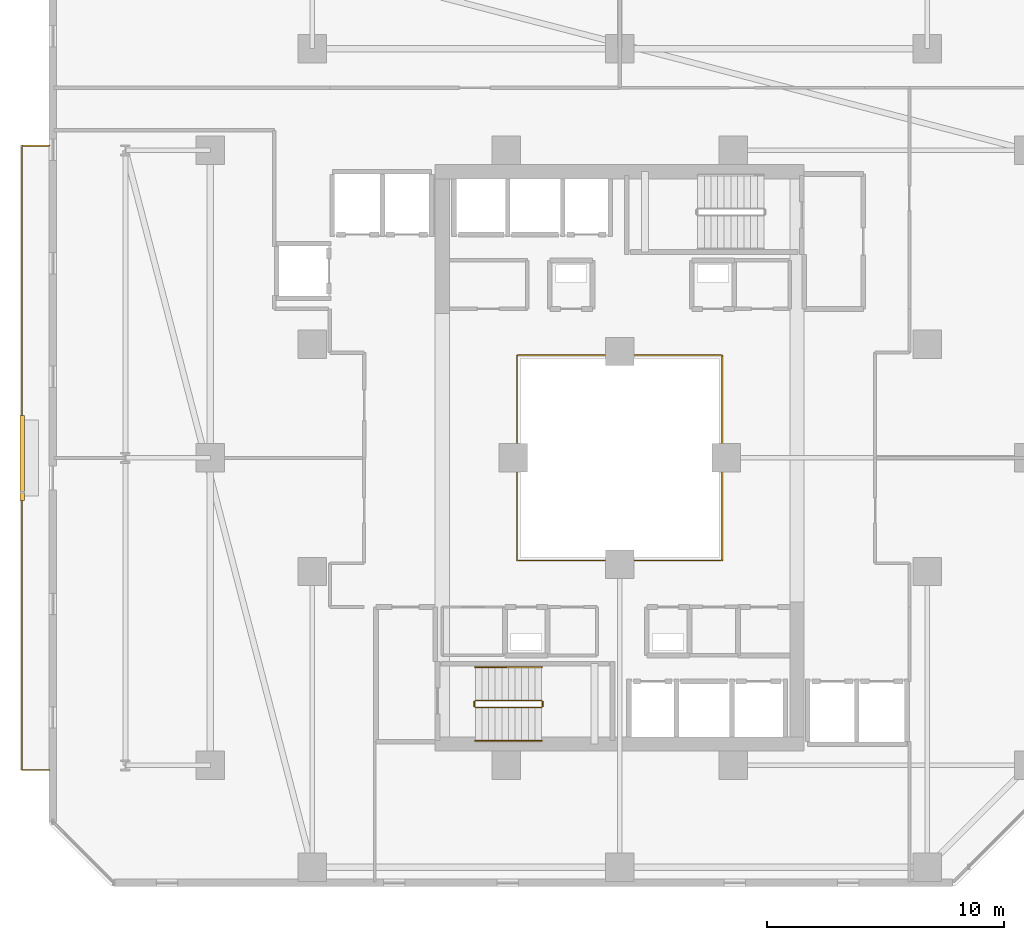
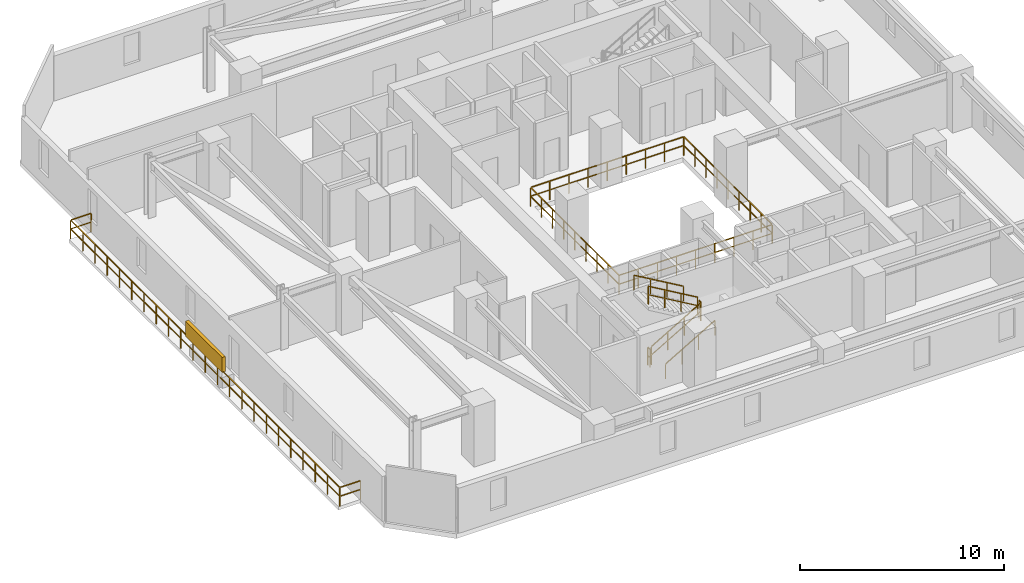
# One storey, part 30 of 33: 8 railings, 1 shading device.
"""IFC4 building model written with IfcOpenShell, lengths in metres."""

import ifcopenshell
import ifcopenshell.guid

model = None  # the IFC model being written
_history = None  # IfcOwnerHistory: only IFC2X3 demands one
_inside = {}  # id of a spatial element -> (the spatial element, [elements in it])
_under = {}  # id of a project, library or spatial element -> (it, [spatial elements below it])
_declared = {}  # id of a project -> (the project, [libraries it declares])
_typed = {}  # id of a type object -> (the type object, [elements of that type])
_made_of = {}  # id of a material, layer set ... -> (it, [elements and type objects made of it])


def new_model(schema):
    """Start an empty IFC model of exactly this schema.

    Asked for "IFC4X3", IfcOpenShell would pick the latest addendum, in which some entities
    have other attributes; the version numbers below select the first issue.
    IFC2X3 requires an IfcOwnerHistory on every rooted entity: one is made here for all.
    """
    global model, _history
    if schema == "IFC4X3":
        model = ifcopenshell.file(schema_version=(4, 3, 0, 0))
    else:
        model = ifcopenshell.file(schema=schema)
    _inside.clear()
    _under.clear()
    _declared.clear()
    _typed.clear()
    _made_of.clear()
    _history = None
    if model.schema == "IFC2X3":
        org = make("IfcOrganization", Name="unknown")
        user = make(
            "IfcPersonAndOrganization",
            ThePerson=make("IfcPerson", FamilyName="unknown"),
            TheOrganization=org,
        )
        app = make(
            "IfcApplication",
            ApplicationDeveloper=org,
            Version="unknown",
            ApplicationFullName="unknown",
            ApplicationIdentifier="unknown",
        )
        _history = make(
            "IfcOwnerHistory",
            OwningUser=user,
            OwningApplication=app,
            ChangeAction="ADDED",
            CreationDate=0,
        )
    return model


def make(cls, **values):
    """One entity of the class cls with the attributes given. An attribute that is None is left unset."""
    return model.create_entity(
        cls, **{name: value for name, value in values.items() if value is not None}
    )


def rooted(cls, **values):
    """An entity with a GlobalId (a new one), such as an element, a storey or a relation."""
    return make(cls, GlobalId=ifcopenshell.guid.new(), OwnerHistory=_history, **values)


def si_unit(unit_type, name, prefix=None):
    """IfcSIUnit, for example si_unit("LENGTHUNIT", "METRE", prefix="MILLI")."""
    return make("IfcSIUnit", UnitType=unit_type, Prefix=prefix, Name=name)


def assignment(units):
    """IfcUnitAssignment: the units of a project."""
    return None if units is None else make("IfcUnitAssignment", Units=units)


def point(xyz):
    """IfcCartesianPoint."""
    return None if xyz is None else make("IfcCartesianPoint", Coordinates=xyz)


def direction(xyz):
    """IfcDirection."""
    return None if xyz is None else make("IfcDirection", DirectionRatios=xyz)


def frame(location, z_axis=None, x_axis=None):
    """IfcAxis2Placement3D, a coordinate frame: its origin and axes. An axis left out is left unset."""
    return make(
        "IfcAxis2Placement3D",
        Location=point(location),
        Axis=direction(z_axis),
        RefDirection=direction(x_axis),
    )


def frame_2d(location, x_axis=None):
    """IfcAxis2Placement2D, a coordinate frame in the plane: its origin and x axis."""
    return make(
        "IfcAxis2Placement2D", Location=point(location), RefDirection=direction(x_axis)
    )


def origin():
    """The frame at (0, 0, 0) with its axes left unset."""
    return frame((0.0, 0.0, 0.0))


def origin_2d():
    """The frame at (0, 0) in the plane with its x axis left unset."""
    return frame_2d((0.0, 0.0))


def place(relative_to, where):
    """IfcLocalPlacement: puts the frame where relative to a parent placement (None: the world)."""
    return make(
        "IfcLocalPlacement", PlacementRelTo=relative_to, RelativePlacement=where
    )


def context(
    kind, dimensions, precision=None, world=None, true_north=None, identifier=None
):
    """IfcGeometricRepresentationContext, for example the 3D "Model" context."""
    return make(
        "IfcGeometricRepresentationContext",
        ContextIdentifier=identifier,
        ContextType=kind,
        CoordinateSpaceDimension=dimensions,
        Precision=precision,
        WorldCoordinateSystem=world,
        TrueNorth=true_north,
    )


def subcontext(parent, identifier, kind, view, scale=None):
    """IfcGeometricRepresentationSubContext, for example "Body" below "Model"."""
    return make(
        "IfcGeometricRepresentationSubContext",
        ContextIdentifier=identifier,
        ContextType=kind,
        ParentContext=parent,
        TargetScale=scale,
        TargetView=view,
    )


def project(units=None, contexts=None):
    """IfcProject with its units and contexts."""
    return rooted(
        "IfcProject",
        Name="project",
        RepresentationContexts=contexts,
        UnitsInContext=assignment(units),
    )


def spatial(cls, under=None, at=None, **own):
    """A site, building, storey or space (cls), placed at a placement, below another one or the project."""
    s = rooted(cls, ObjectPlacement=at, **own)
    if under is not None:
        _under.setdefault(under.id(), (under, []))[1].append(s)
    return s


def profile(cls, at=None, kind="AREA", **sizes):
    """A parametric profile (cls). Its sizes go by their IFC names, for example OverallWidth=200.0."""
    return make(cls, ProfileType=kind, Position=at, **sizes)


def rectangle(**sizes):
    """IfcRectangleProfileDef."""
    return profile("IfcRectangleProfileDef", **sizes)


def extrude(swept, where, along, depth):
    """IfcExtrudedAreaSolid: the profile swept, set in the frame where, extruded along a direction by depth."""
    return make(
        "IfcExtrudedAreaSolid",
        SweptArea=swept,
        Position=where,
        ExtrudedDirection=direction(along),
        Depth=depth,
    )


def shape(context_of_items, identifier, shape_type, items):
    """IfcShapeRepresentation: the items that make up one representation, for example the "Body"."""
    return make(
        "IfcShapeRepresentation",
        ContextOfItems=context_of_items,
        RepresentationIdentifier=identifier,
        RepresentationType=shape_type,
        Items=items,
    )


def material(Name=None, Category=None):
    """IfcMaterial."""
    return make("IfcMaterial", Name=Name, Category=Category)


def made_of(thing, what):
    """Note that an element or type object is made of a material, layer set ...; save() writes the relation."""
    if what is not None:
        _made_of.setdefault(what.id(), (what, []))[1].append(thing)
    return thing


def type_object(cls, material=None, **own):
    """A type object (cls), such as IfcWallType, which elements share."""
    return made_of(rooted(cls, **own), material)


def element(
    cls,
    number,
    at=None,
    inside=None,
    cuts=None,
    type_object=None,
    material=None,
    context=None,
    identifier="Body",
    shape_type=None,
    held_by="IfcProductDefinitionShape",
    body=None,
    shapes=None,
    **own,
):
    """One element of the class cls, such as IfcWall. Its Tag is "e" and its number.

    at: its placement. inside: the storey or other place that contains it. cuts: it is an
    opening in that element (IfcRelVoidsElement). A single representation is given by context,
    identifier, shape_type and body (its items); several are given by shapes. held_by: the class
    of the entity that holds the representations. save() writes the other relations.
    """
    e = rooted(cls, Tag="e%d" % number, ObjectPlacement=at, **own)
    if body is not None:
        shapes = [shape(context, identifier, shape_type, body)]
    if shapes is not None:
        e.Representation = make(held_by, Representations=shapes)
    if inside is not None:
        _inside.setdefault(inside.id(), (inside, []))[1].append(e)
    if cuts is not None:
        rooted(
            "IfcRelVoidsElement", RelatingBuildingElement=cuts, RelatedOpeningElement=e
        )
    if type_object is not None:
        _typed.setdefault(type_object.id(), (type_object, []))[1].append(e)
    return made_of(e, material)


def aggregate(whole, parts):
    """IfcRelAggregates: a whole, such as a stair, and the parts it consists of."""
    return rooted("IfcRelAggregates", RelatingObject=whole, RelatedObjects=parts)


def save(model, path):
    """Write the relations noted so far, then the file.

    IfcRelAggregates (storeys below a building ...), IfcRelContainedInSpatialStructure (elements
    in a storey), IfcRelDefinesByType, IfcRelAssociatesMaterial and IfcRelDeclares: one each for
    every whole, place, type object, material and project.
    """
    for whole, parts in _under.values():
        aggregate(whole, parts)
    for where, things in _inside.values():
        rooted(
            "IfcRelContainedInSpatialStructure",
            RelatedElements=things,
            RelatingStructure=where,
        )
    for kind, things in _typed.values():
        rooted("IfcRelDefinesByType", RelatedObjects=things, RelatingType=kind)
    for what, things in _made_of.values():
        rooted("IfcRelAssociatesMaterial", RelatedObjects=things, RelatingMaterial=what)
    for by, libraries in _declared.values():
        rooted("IfcRelDeclares", RelatingContext=by, RelatedDefinitions=libraries)
    model.write(path)


model = new_model("IFC4")

# Units and contexts
model_context = context("Model", 3, precision=1e-05, world=origin(), true_north=direction((0.0, 1.0)))
body_context = subcontext(model_context, "Body", "Model", "MODEL_VIEW")
ifc_project = project(units=[si_unit("LENGTHUNIT", "METRE"), si_unit("AREAUNIT", "SQUARE_METRE"), si_unit("VOLUMEUNIT", "CUBIC_METRE"), si_unit("PLANEANGLEUNIT", "RADIAN"), si_unit("MASSUNIT", "GRAM", prefix="KILO")], contexts=[model_context])

# Site, building, storey
site_placement = place(None, origin())
site = spatial("IfcSite", under=ifc_project, at=site_placement, CompositionType="ELEMENT")
building_placement = place(site_placement, origin())
building = spatial("IfcBuilding", under=site, at=building_placement, Name="Thornwick Lancets Civic Towers", CompositionType="ELEMENT")
storey_placement = place(building_placement, frame((0.0, 0.0, 101.699951171875)))
storey = spatial("IfcBuildingStorey", under=building, at=storey_placement, Name="L26", CompositionType="ELEMENT", Elevation=101.699951171875)

# Railings
ifc_material_1 = material(Name="Laminated glass and bronze steel S355", Category="steel")
railing_type_1 = type_object("IfcRailingType", Name="RAIL_ATRIUM_GUARD", PredefinedType="BALUSTRADE", material=ifc_material_1)
railing_1_placement = place(storey_placement, frame((21.159912109375, 22.659912109375, 0.0)))
element("IfcRailing", 1, at=railing_1_placement, inside=storey, type_object=railing_type_1, Name="L26 Tower A Central Atrium Guard Balustrade", PredefinedType="BALUSTRADE", context=body_context, shape_type="SweptSolid", body=[
    extrude(rectangle(XDim=0.048095703125, YDim=0.048095703125, at=origin_2d()), frame((0.0, 0.0, 1.1259765625), z_axis=(1.0, 0.0, 0.0), x_axis=(0.0, 1.0, 0.0)), (0.0, 0.0, 1.0), 8.64892578125),
    extrude(rectangle(XDim=0.0419921875, YDim=0.0419921875, at=origin_2d()), frame((0.03759765625, 0.0, 0.597900390625), z_axis=(1.0, 0.0, 0.0), x_axis=(0.0, 1.0, 0.0)), (0.0, 0.0, 1.0), 1.010009765625),
    extrude(rectangle(XDim=0.0419921875, YDim=0.0419921875, at=origin_2d()), frame((1.12255859375, 0.0, 0.597900390625), z_axis=(1.0, 0.0, 0.0), x_axis=(0.0, 1.0, 0.0)), (0.0, 0.0, 1.0), 1.010009765625),
    extrude(rectangle(XDim=0.0419921875, YDim=0.0419921875, at=origin_2d()), frame((2.20751953125, 0.0, 0.597900390625), z_axis=(1.0, 0.0, 0.0), x_axis=(0.0, 1.0, 0.0)), (0.0, 0.0, 1.0), 1.010009765625),
    extrude(rectangle(XDim=0.0419921875, YDim=0.0419921875, at=origin_2d()), frame((3.29248046875, 0.0, 0.597900390625), z_axis=(1.0, 0.0, 0.0), x_axis=(0.0, 1.0, 0.0)), (0.0, 0.0, 1.0), 1.010009765625),
    extrude(rectangle(XDim=0.0419921875, YDim=0.0419921875, at=origin_2d()), frame((4.377685546875, 0.0, 0.597900390625), z_axis=(1.0, 0.0, 0.0), x_axis=(0.0, 1.0, 0.0)), (0.0, 0.0, 1.0), 1.010009765625),
    extrude(rectangle(XDim=0.0419921875, YDim=0.0419921875, at=origin_2d()), frame((5.462646484375, 0.0, 0.597900390625), z_axis=(1.0, 0.0, 0.0), x_axis=(0.0, 1.0, 0.0)), (0.0, 0.0, 1.0), 1.010009765625),
    extrude(rectangle(XDim=0.0419921875, YDim=0.0419921875, at=origin_2d()), frame((6.547607421875, 0.0, 0.597900390625), z_axis=(1.0, 0.0, 0.0), x_axis=(0.0, 1.0, 0.0)), (0.0, 0.0, 1.0), 1.010009765625),
    extrude(rectangle(XDim=0.0419921875, YDim=0.0419921875, at=origin_2d()), frame((7.632568359375, 0.0, 0.597900390625), z_axis=(1.0, 0.0, 0.0), x_axis=(0.0, 1.0, 0.0)), (0.0, 0.0, 1.0), 1.010009765625),
    extrude(rectangle(XDim=0.048095703125, YDim=0.048095703125, at=origin_2d()), frame((8.68017578125, 0.03125, 1.1259765625), z_axis=(0.0, 1.0, 0.0), x_axis=(-1.0, 0.0, 0.0)), (0.0, 0.0, 1.0), 8.61767578125),
    extrude(rectangle(XDim=0.0419921875, YDim=0.0419921875, at=origin_2d()), frame((8.68017578125, 0.03759765625, 0.597900390625), z_axis=(0.0, 1.0, 0.0), x_axis=(-1.0, 0.0, 0.0)), (0.0, 0.0, 1.0), 1.010009765625),
    extrude(rectangle(XDim=0.0419921875, YDim=0.0419921875, at=origin_2d()), frame((8.68017578125, 1.12255859375, 0.597900390625), z_axis=(0.0, 1.0, 0.0), x_axis=(-1.0, 0.0, 0.0)), (0.0, 0.0, 1.0), 1.010009765625),
    extrude(rectangle(XDim=0.0419921875, YDim=0.0419921875, at=origin_2d()), frame((8.68017578125, 2.20751953125, 0.597900390625), z_axis=(0.0, 1.0, 0.0), x_axis=(-1.0, 0.0, 0.0)), (0.0, 0.0, 1.0), 1.010009765625),
    extrude(rectangle(XDim=0.0419921875, YDim=0.0419921875, at=origin_2d()), frame((8.68017578125, 3.29248046875, 0.597900390625), z_axis=(0.0, 1.0, 0.0), x_axis=(-1.0, 0.0, 0.0)), (0.0, 0.0, 1.0), 1.010009765625),
    extrude(rectangle(XDim=0.0419921875, YDim=0.0419921875, at=origin_2d()), frame((8.68017578125, 4.377685546875, 0.597900390625), z_axis=(0.0, 1.0, 0.0), x_axis=(-1.0, 0.0, 0.0)), (0.0, 0.0, 1.0), 1.010009765625),
    extrude(rectangle(XDim=0.0419921875, YDim=0.0419921875, at=origin_2d()), frame((8.68017578125, 5.462646484375, 0.597900390625), z_axis=(0.0, 1.0, 0.0), x_axis=(-1.0, 0.0, 0.0)), (0.0, 0.0, 1.0), 1.010009765625),
    extrude(rectangle(XDim=0.0419921875, YDim=0.0419921875, at=origin_2d()), frame((8.68017578125, 6.547607421875, 0.597900390625), z_axis=(0.0, 1.0, 0.0), x_axis=(-1.0, 0.0, 0.0)), (0.0, 0.0, 1.0), 1.010009765625),
    extrude(rectangle(XDim=0.0419921875, YDim=0.0419921875, at=origin_2d()), frame((8.68017578125, 7.632568359375, 0.597900390625), z_axis=(0.0, 1.0, 0.0), x_axis=(-1.0, 0.0, 0.0)), (0.0, 0.0, 1.0), 1.010009765625),
    extrude(rectangle(XDim=0.048095703125, YDim=0.048095703125, at=origin_2d()), frame((8.64892578125, 8.68017578125, 1.1259765625), z_axis=(-1.0, 0.0, 0.0), x_axis=(0.0, -1.0, 0.0)), (0.0, 0.0, 1.0), 8.61767578125),
    extrude(rectangle(XDim=0.0419921875, YDim=0.0419921875, at=origin_2d()), frame((8.642578125, 8.68017578125, 0.597900390625), z_axis=(-1.0, 0.0, 0.0), x_axis=(0.0, -1.0, 0.0)), (0.0, 0.0, 1.0), 1.010009765625),
    extrude(rectangle(XDim=0.0419921875, YDim=0.0419921875, at=origin_2d()), frame((7.5576171875, 8.68017578125, 0.597900390625), z_axis=(-1.0, 0.0, 0.0), x_axis=(0.0, -1.0, 0.0)), (0.0, 0.0, 1.0), 1.010009765625),
    extrude(rectangle(XDim=0.0419921875, YDim=0.0419921875, at=origin_2d()), frame((6.47265625, 8.68017578125, 0.597900390625), z_axis=(-1.0, 0.0, 0.0), x_axis=(0.0, -1.0, 0.0)), (0.0, 0.0, 1.0), 1.010009765625),
    extrude(rectangle(XDim=0.0419921875, YDim=0.0419921875, at=origin_2d()), frame((5.3876953125, 8.68017578125, 0.597900390625), z_axis=(-1.0, 0.0, 0.0), x_axis=(0.0, -1.0, 0.0)), (0.0, 0.0, 1.0), 1.010009765625),
    extrude(rectangle(XDim=0.0419921875, YDim=0.0419921875, at=origin_2d()), frame((4.302490234375, 8.68017578125, 0.597900390625), z_axis=(-1.0, 0.0, 0.0), x_axis=(0.0, -1.0, 0.0)), (0.0, 0.0, 1.0), 1.010009765625),
    extrude(rectangle(XDim=0.0419921875, YDim=0.0419921875, at=origin_2d()), frame((3.217529296875, 8.68017578125, 0.597900390625), z_axis=(-1.0, 0.0, 0.0), x_axis=(0.0, -1.0, 0.0)), (0.0, 0.0, 1.0), 1.010009765625),
    extrude(rectangle(XDim=0.0419921875, YDim=0.0419921875, at=origin_2d()), frame((2.132568359375, 8.68017578125, 0.597900390625), z_axis=(-1.0, 0.0, 0.0), x_axis=(0.0, -1.0, 0.0)), (0.0, 0.0, 1.0), 1.010009765625),
    extrude(rectangle(XDim=0.0419921875, YDim=0.0419921875, at=origin_2d()), frame((1.047607421875, 8.68017578125, 0.597900390625), z_axis=(-1.0, 0.0, 0.0), x_axis=(0.0, -1.0, 0.0)), (0.0, 0.0, 1.0), 1.010009765625),
    extrude(rectangle(XDim=0.048095703125, YDim=0.048095703125, at=origin_2d()), frame((0.0, 8.64892578125, 1.1259765625), z_axis=(0.0, -1.0, 0.0), x_axis=(1.0, 0.0, 0.0)), (0.0, 0.0, 1.0), 8.64892578125),
    extrude(rectangle(XDim=0.0419921875, YDim=0.0419921875, at=origin_2d()), frame((0.0, 8.642578125, 0.597900390625), z_axis=(0.0, -1.0, 0.0), x_axis=(1.0, 0.0, 0.0)), (0.0, 0.0, 1.0), 1.010009765625),
    extrude(rectangle(XDim=0.0419921875, YDim=0.0419921875, at=origin_2d()), frame((0.0, 7.5576171875, 0.597900390625), z_axis=(0.0, -1.0, 0.0), x_axis=(1.0, 0.0, 0.0)), (0.0, 0.0, 1.0), 1.010009765625),
    extrude(rectangle(XDim=0.0419921875, YDim=0.0419921875, at=origin_2d()), frame((0.0, 6.47265625, 0.597900390625), z_axis=(0.0, -1.0, 0.0), x_axis=(1.0, 0.0, 0.0)), (0.0, 0.0, 1.0), 1.010009765625),
    extrude(rectangle(XDim=0.0419921875, YDim=0.0419921875, at=origin_2d()), frame((0.0, 5.3876953125, 0.597900390625), z_axis=(0.0, -1.0, 0.0), x_axis=(1.0, 0.0, 0.0)), (0.0, 0.0, 1.0), 1.010009765625),
    extrude(rectangle(XDim=0.0419921875, YDim=0.0419921875, at=origin_2d()), frame((0.0, 4.302490234375, 0.597900390625), z_axis=(0.0, -1.0, 0.0), x_axis=(1.0, 0.0, 0.0)), (0.0, 0.0, 1.0), 1.010009765625),
    extrude(rectangle(XDim=0.0419921875, YDim=0.0419921875, at=origin_2d()), frame((0.0, 3.217529296875, 0.597900390625), z_axis=(0.0, -1.0, 0.0), x_axis=(1.0, 0.0, 0.0)), (0.0, 0.0, 1.0), 1.010009765625),
    extrude(rectangle(XDim=0.0419921875, YDim=0.0419921875, at=origin_2d()), frame((0.0, 2.132568359375, 0.597900390625), z_axis=(0.0, -1.0, 0.0), x_axis=(1.0, 0.0, 0.0)), (0.0, 0.0, 1.0), 1.010009765625),
    extrude(rectangle(XDim=0.0419921875, YDim=0.0419921875, at=origin_2d()), frame((0.0, 1.047607421875, 0.597900390625), z_axis=(0.0, -1.0, 0.0), x_axis=(1.0, 0.0, 0.0)), (0.0, 0.0, 1.0), 1.010009765625),
    extrude(rectangle(XDim=0.0419921875, YDim=0.0419921875, at=origin_2d()), origin(), (0.0, 0.0, 1.0), 1.095703125),
    extrude(rectangle(XDim=0.0419921875, YDim=0.0419921875, at=origin_2d()), frame((1.0849609375, 0.0, 0.0)), (0.0, 0.0, 1.0), 1.095703125),
    extrude(rectangle(XDim=0.0419921875, YDim=0.0419921875, at=origin_2d()), frame((2.169921875, 0.0, 0.0)), (0.0, 0.0, 1.0), 1.095703125),
    extrude(rectangle(XDim=0.0419921875, YDim=0.0419921875, at=origin_2d()), frame((3.255126953125, 0.0, 0.0)), (0.0, 0.0, 1.0), 1.095703125),
    extrude(rectangle(XDim=0.0419921875, YDim=0.0419921875, at=origin_2d()), frame((4.340087890625, 0.0, 0.0)), (0.0, 0.0, 1.0), 1.095703125),
    extrude(rectangle(XDim=0.0419921875, YDim=0.0419921875, at=origin_2d()), frame((5.425048828125, 0.0, 0.0)), (0.0, 0.0, 1.0), 1.095703125),
    extrude(rectangle(XDim=0.0419921875, YDim=0.0419921875, at=origin_2d()), frame((6.51025390625, 0.0, 0.0)), (0.0, 0.0, 1.0), 1.095703125),
    extrude(rectangle(XDim=0.0419921875, YDim=0.0419921875, at=origin_2d()), frame((7.59521484375, 0.0, 0.0)), (0.0, 0.0, 1.0), 1.095703125),
    extrude(rectangle(XDim=0.0419921875, YDim=0.0419921875, at=origin_2d()), frame((8.68017578125, 0.0, 0.0)), (0.0, 0.0, 1.0), 1.095703125),
    extrude(rectangle(XDim=0.0419921875, YDim=0.0419921875, at=origin_2d()), frame((8.68017578125, 1.0849609375, 0.0)), (0.0, 0.0, 1.0), 1.095703125),
    extrude(rectangle(XDim=0.0419921875, YDim=0.0419921875, at=origin_2d()), frame((8.68017578125, 2.169921875, 0.0)), (0.0, 0.0, 1.0), 1.095703125),
    extrude(rectangle(XDim=0.0419921875, YDim=0.0419921875, at=origin_2d()), frame((8.68017578125, 3.255126953125, 0.0)), (0.0, 0.0, 1.0), 1.095703125),
    extrude(rectangle(XDim=0.0419921875, YDim=0.0419921875, at=origin_2d()), frame((8.68017578125, 4.340087890625, 0.0)), (0.0, 0.0, 1.0), 1.095703125),
    extrude(rectangle(XDim=0.0419921875, YDim=0.0419921875, at=origin_2d()), frame((8.68017578125, 5.425048828125, 0.0)), (0.0, 0.0, 1.0), 1.095703125),
    extrude(rectangle(XDim=0.0419921875, YDim=0.0419921875, at=origin_2d()), frame((8.68017578125, 6.51025390625, 0.0)), (0.0, 0.0, 1.0), 1.095703125),
    extrude(rectangle(XDim=0.0419921875, YDim=0.0419921875, at=origin_2d()), frame((8.68017578125, 7.59521484375, 0.0)), (0.0, 0.0, 1.0), 1.095703125),
    extrude(rectangle(XDim=0.0419921875, YDim=0.0419921875, at=origin_2d()), frame((8.68017578125, 8.68017578125, 0.0)), (0.0, 0.0, 1.0), 1.095703125),
    extrude(rectangle(XDim=0.0419921875, YDim=0.0419921875, at=origin_2d()), frame((7.59521484375, 8.68017578125, 0.0)), (0.0, 0.0, 1.0), 1.095703125),
    extrude(rectangle(XDim=0.0419921875, YDim=0.0419921875, at=origin_2d()), frame((6.51025390625, 8.68017578125, 0.0)), (0.0, 0.0, 1.0), 1.095703125),
    extrude(rectangle(XDim=0.0419921875, YDim=0.0419921875, at=origin_2d()), frame((5.425048828125, 8.68017578125, 0.0)), (0.0, 0.0, 1.0), 1.095703125),
    extrude(rectangle(XDim=0.0419921875, YDim=0.0419921875, at=origin_2d()), frame((4.340087890625, 8.68017578125, 0.0)), (0.0, 0.0, 1.0), 1.095703125),
    extrude(rectangle(XDim=0.0419921875, YDim=0.0419921875, at=origin_2d()), frame((3.255126953125, 8.68017578125, 0.0)), (0.0, 0.0, 1.0), 1.095703125),
    extrude(rectangle(XDim=0.0419921875, YDim=0.0419921875, at=origin_2d()), frame((2.169921875, 8.68017578125, 0.0)), (0.0, 0.0, 1.0), 1.095703125),
    extrude(rectangle(XDim=0.0419921875, YDim=0.0419921875, at=origin_2d()), frame((1.0849609375, 8.68017578125, 0.0)), (0.0, 0.0, 1.0), 1.095703125),
    extrude(rectangle(XDim=0.0419921875, YDim=0.0419921875, at=origin_2d()), frame((0.0, 8.68017578125, 0.0)), (0.0, 0.0, 1.0), 1.095703125),
    extrude(rectangle(XDim=0.0419921875, YDim=0.0419921875, at=origin_2d()), frame((0.0, 7.59521484375, 0.0)), (0.0, 0.0, 1.0), 1.095703125),
    extrude(rectangle(XDim=0.0419921875, YDim=0.0419921875, at=origin_2d()), frame((0.0, 6.51025390625, 0.0)), (0.0, 0.0, 1.0), 1.095703125),
    extrude(rectangle(XDim=0.0419921875, YDim=0.0419921875, at=origin_2d()), frame((0.0, 5.425048828125, 0.0)), (0.0, 0.0, 1.0), 1.095703125),
    extrude(rectangle(XDim=0.0419921875, YDim=0.0419921875, at=origin_2d()), frame((0.0, 4.340087890625, 0.0)), (0.0, 0.0, 1.0), 1.095703125),
    extrude(rectangle(XDim=0.0419921875, YDim=0.0419921875, at=origin_2d()), frame((0.0, 3.255126953125, 0.0)), (0.0, 0.0, 1.0), 1.095703125),
    extrude(rectangle(XDim=0.0419921875, YDim=0.0419921875, at=origin_2d()), frame((0.0, 2.169921875, 0.0)), (0.0, 0.0, 1.0), 1.095703125),
    extrude(rectangle(XDim=0.0419921875, YDim=0.0419921875, at=origin_2d()), frame((0.0, 1.0849609375, 0.0)), (0.0, 0.0, 1.0), 1.095703125),
])
ifc_material_2 = material(Name="Brushed stainless steel S355", Category="steel")
railing_type_2 = type_object("IfcRailingType", Name="RAIL_HANDRAIL", PredefinedType="HANDRAIL", material=ifc_material_2)
railing_2_placement = place(storey_placement, frame((19.39990234375, 15.050048828125, 0.16357421875)))
element("IfcRailing", 2, at=railing_2_placement, inside=storey, type_object=railing_type_2, Name="L26 ST-A1 stair handrail 1", PredefinedType="HANDRAIL", context=body_context, shape_type="SweptSolid", body=[
    extrude(rectangle(XDim=0.048095703125, YDim=0.048095703125, at=origin_2d()), frame((0.0, 0.0, 0.8857421875), z_axis=(0.863360870873, 0.0, 0.504586966384), x_axis=(0.0, 1.0, 0.0)), (0.0, 0.0, 1.0), 3.2431640625),
    extrude(rectangle(XDim=0.0419921875, YDim=0.0419921875, at=origin_2d()), origin(), (0.0, 0.0, 1.0), 0.855712890625),
    extrude(rectangle(XDim=0.0419921875, YDim=0.0419921875, at=origin_2d()), frame((0.933349609375, 0.0, 0.54541015625)), (0.0, 0.0, 1.0), 0.855712890625),
    extrude(rectangle(XDim=0.0419921875, YDim=0.0419921875, at=origin_2d()), frame((1.86669921875, 0.0, 1.091064453125)), (0.0, 0.0, 1.0), 0.855712890625),
    extrude(rectangle(XDim=0.0419921875, YDim=0.0419921875, at=origin_2d()), frame((2.800048828125, 0.0, 1.636474609375)), (0.0, 0.0, 1.0), 0.855712890625),
])
railing_3_placement = place(storey_placement, frame((22.199951171875, 18.14990234375, 1.963623046875)))
element("IfcRailing", 3, at=railing_3_placement, inside=storey, type_object=railing_type_2, Name="L26 ST-A1 stair handrail 2", PredefinedType="HANDRAIL", context=body_context, shape_type="SweptSolid", body=[
    extrude(rectangle(XDim=0.048095703125, YDim=0.048095703125, at=origin_2d()), frame((0.0, 0.0, 0.8857421875), z_axis=(-0.863360870873, 0.0, 0.504586966384), x_axis=(0.0, -1.0, 0.0)), (0.0, 0.0, 1.0), 3.2431640625),
    extrude(rectangle(XDim=0.0419921875, YDim=0.0419921875, at=origin_2d()), origin(), (0.0, 0.0, 1.0), 0.855712890625),
    extrude(rectangle(XDim=0.0419921875, YDim=0.0419921875, at=origin_2d()), frame((-0.933349609375, 0.0, 0.54541015625)), (0.0, 0.0, 1.0), 0.855712890625),
    extrude(rectangle(XDim=0.0419921875, YDim=0.0419921875, at=origin_2d()), frame((-1.86669921875, 0.0, 1.091064453125)), (0.0, 0.0, 1.0), 0.855712890625),
    extrude(rectangle(XDim=0.0419921875, YDim=0.0419921875, at=origin_2d()), frame((-2.800048828125, 0.0, 1.636474609375)), (0.0, 0.0, 1.0), 0.855712890625),
])
ifc_material_3 = material(Name="Steel S355JR", Category="steel")
railing_type_3 = type_object("IfcRailingType", Name="RAIL_STAIR_GUARD", PredefinedType="GUARDRAIL", material=ifc_material_3)
railing_4_placement = place(storey_placement, frame((19.39990234375, 16.449951171875, 0.16357421875)))
element("IfcRailing", 4, at=railing_4_placement, inside=storey, type_object=railing_type_3, Name="L26 ST-A1 stair guard 1", PredefinedType="GUARDRAIL", context=body_context, shape_type="SweptSolid", body=[
    extrude(rectangle(XDim=0.048095703125, YDim=0.048095703125, at=origin_2d()), frame((0.0, 0.0, 1.076171875), z_axis=(0.863360870873, 0.0, 0.504586966384), x_axis=(0.0, 1.0, 0.0)), (0.0, 0.0, 1.0), 3.2431640625),
    extrude(rectangle(XDim=0.0419921875, YDim=0.0419921875, at=origin_2d()), frame((0.032470703125, 0.0, 0.591064453125), z_axis=(0.863360870873, 0.0, 0.504586966384), x_axis=(0.0, 1.0, 0.0)), (0.0, 0.0, 1.0), 1.006103515625),
    extrude(rectangle(XDim=0.0419921875, YDim=0.0419921875, at=origin_2d()), frame((0.9658203125, 0.0, 1.136474609375), z_axis=(0.863360870873, 0.0, 0.504586966384), x_axis=(0.0, 1.0, 0.0)), (0.0, 0.0, 1.0), 1.006103515625),
    extrude(rectangle(XDim=0.0419921875, YDim=0.0419921875, at=origin_2d()), frame((1.899169921875, 0.0, 1.681884765625), z_axis=(0.863360870873, 0.0, 0.504586966384), x_axis=(0.0, 1.0, 0.0)), (0.0, 0.0, 1.0), 1.006103515625),
    extrude(rectangle(XDim=0.0419921875, YDim=0.0419921875, at=origin_2d()), origin(), (0.0, 0.0, 1.0), 1.0458984375),
    extrude(rectangle(XDim=0.0419921875, YDim=0.0419921875, at=origin_2d()), frame((0.933349609375, 0.0, 0.54541015625)), (0.0, 0.0, 1.0), 1.0458984375),
    extrude(rectangle(XDim=0.0419921875, YDim=0.0419921875, at=origin_2d()), frame((1.86669921875, 0.0, 1.091064453125)), (0.0, 0.0, 1.0), 1.0458984375),
    extrude(rectangle(XDim=0.0419921875, YDim=0.0419921875, at=origin_2d()), frame((2.800048828125, 0.0, 1.636474609375)), (0.0, 0.0, 1.0), 1.0458984375),
])
railing_5_placement = place(storey_placement, frame((22.25, 16.5, 1.800048828125)))
element("IfcRailing", 5, at=railing_5_placement, inside=storey, type_object=railing_type_3, Name="L26 ST-A1 stair guard 2", PredefinedType="GUARDRAIL", context=body_context, shape_type="SweptSolid", body=[
    extrude(rectangle(XDim=0.048095703125, YDim=0.048095703125, at=origin_2d()), frame((0.0, 0.0, 1.076171875), z_axis=(0.0, 1.0, 0.0), x_axis=(-1.0, 0.0, 0.0)), (0.0, 0.0, 1.0), 0.199951171875),
    extrude(rectangle(XDim=0.0419921875, YDim=0.0419921875, at=origin_2d()), frame((0.0, 0.03759765625, 0.572021484375), z_axis=(0.0, 1.0, 0.0), x_axis=(-1.0, 0.0, 0.0)), (0.0, 0.0, 1.0), 0.125),
    extrude(rectangle(XDim=0.0419921875, YDim=0.0419921875, at=origin_2d()), origin(), (0.0, 0.0, 1.0), 1.0458984375),
    extrude(rectangle(XDim=0.0419921875, YDim=0.0419921875, at=origin_2d()), frame((0.0, 0.199951171875, 0.0)), (0.0, 0.0, 1.0), 1.0458984375),
])
railing_6_placement = place(storey_placement, frame((22.199951171875, 16.75, 1.963623046875)))
element("IfcRailing", 6, at=railing_6_placement, inside=storey, type_object=railing_type_3, Name="L26 ST-A1 stair guard 3", PredefinedType="GUARDRAIL", context=body_context, shape_type="SweptSolid", body=[
    extrude(rectangle(XDim=0.048095703125, YDim=0.048095703125, at=origin_2d()), frame((0.0, 0.0, 1.076171875), z_axis=(-0.863360870873, 0.0, 0.504586966384), x_axis=(0.0, -1.0, 0.0)), (0.0, 0.0, 1.0), 3.2431640625),
    extrude(rectangle(XDim=0.0419921875, YDim=0.0419921875, at=origin_2d()), frame((-0.032470703125, 0.0, 0.591064453125), z_axis=(-0.863360870873, 0.0, 0.504586966384), x_axis=(0.0, -1.0, 0.0)), (0.0, 0.0, 1.0), 1.006103515625),
    extrude(rectangle(XDim=0.0419921875, YDim=0.0419921875, at=origin_2d()), frame((-0.9658203125, 0.0, 1.136474609375), z_axis=(-0.863360870873, 0.0, 0.504586966384), x_axis=(0.0, -1.0, 0.0)), (0.0, 0.0, 1.0), 1.006103515625),
    extrude(rectangle(XDim=0.0419921875, YDim=0.0419921875, at=origin_2d()), frame((-1.899169921875, 0.0, 1.681884765625), z_axis=(-0.863360870873, 0.0, 0.504586966384), x_axis=(0.0, -1.0, 0.0)), (0.0, 0.0, 1.0), 1.006103515625),
    extrude(rectangle(XDim=0.0419921875, YDim=0.0419921875, at=origin_2d()), origin(), (0.0, 0.0, 1.0), 1.0458984375),
    extrude(rectangle(XDim=0.0419921875, YDim=0.0419921875, at=origin_2d()), frame((-0.933349609375, 0.0, 0.54541015625)), (0.0, 0.0, 1.0), 1.0458984375),
    extrude(rectangle(XDim=0.0419921875, YDim=0.0419921875, at=origin_2d()), frame((-1.86669921875, 0.0, 1.091064453125)), (0.0, 0.0, 1.0), 1.0458984375),
    extrude(rectangle(XDim=0.0419921875, YDim=0.0419921875, at=origin_2d()), frame((-2.800048828125, 0.0, 1.636474609375)), (0.0, 0.0, 1.0), 1.0458984375),
])
railing_7_placement = place(storey_placement, frame((19.35009765625, 16.5, 0.0)))
element("IfcRailing", 7, at=railing_7_placement, inside=storey, type_object=railing_type_3, Name="L26 ST-A1 stair guard 4", PredefinedType="GUARDRAIL", context=body_context, shape_type="SweptSolid", body=[
    extrude(rectangle(XDim=0.048095703125, YDim=0.048095703125, at=origin_2d()), frame((0.0, 0.0, 1.076171875), z_axis=(0.0, 1.0, 0.0), x_axis=(-1.0, 0.0, 0.0)), (0.0, 0.0, 1.0), 0.199951171875),
    extrude(rectangle(XDim=0.0419921875, YDim=0.0419921875, at=origin_2d()), frame((0.0, 0.03759765625, 0.572021484375), z_axis=(0.0, 1.0, 0.0), x_axis=(-1.0, 0.0, 0.0)), (0.0, 0.0, 1.0), 0.125),
    extrude(rectangle(XDim=0.0419921875, YDim=0.0419921875, at=origin_2d()), origin(), (0.0, 0.0, 1.0), 1.0458984375),
    extrude(rectangle(XDim=0.0419921875, YDim=0.0419921875, at=origin_2d()), frame((0.0, 0.199951171875, 0.0)), (0.0, 0.0, 1.0), 1.0458984375),
])
ifc_material_4 = material(Name="Terracotta-capped laminated glass balustrade S355", Category="masonry")
railing_type_4 = type_object("IfcRailingType", Name="RAIL_TERR_GUARD", PredefinedType="GUARDRAIL", material=ifc_material_4)
railing_8_placement = place(storey_placement, frame((1.39990234375, 13.800048828125, 0.0)))
element("IfcRailing", 8, at=railing_8_placement, inside=storey, type_object=railing_type_4, Name="L26 Tower A Balcony Guard W", PredefinedType="GUARDRAIL", context=body_context, shape_type="SweptSolid", body=[
    extrude(rectangle(XDim=0.048095703125, YDim=0.048095703125, at=origin_2d()), frame((0.0, 0.0, 1.1259765625), z_axis=(-1.0, 0.0, 0.0), x_axis=(0.0, -1.0, 0.0)), (0.0, 0.0, 1.0), 1.138671875),
    extrude(rectangle(XDim=0.0419921875, YDim=0.0419921875, at=origin_2d()), frame((-0.03759765625, 0.0, 0.597900390625), z_axis=(-1.0, 0.0, 0.0), x_axis=(0.0, -1.0, 0.0)), (0.0, 0.0, 1.0), 1.094970703125),
    extrude(rectangle(XDim=0.048095703125, YDim=0.048095703125, at=origin_2d()), frame((-1.169921875, 0.03125, 1.1259765625), z_axis=(0.0, 1.0, 0.0), x_axis=(-1.0, 0.0, 0.0)), (0.0, 0.0, 1.0), 26.33740234375),
    extrude(rectangle(XDim=0.0419921875, YDim=0.0419921875, at=origin_2d()), frame((-1.169921875, 0.03759765625, 0.597900390625), z_axis=(0.0, 1.0, 0.0), x_axis=(-1.0, 0.0, 0.0)), (0.0, 0.0, 1.0), 1.125),
    extrude(rectangle(XDim=0.0419921875, YDim=0.0419921875, at=origin_2d()), frame((-1.169921875, 1.237548828125, 0.597900390625), z_axis=(0.0, 1.0, 0.0), x_axis=(-1.0, 0.0, 0.0)), (0.0, 0.0, 1.0), 1.125),
    extrude(rectangle(XDim=0.0419921875, YDim=0.0419921875, at=origin_2d()), frame((-1.169921875, 2.4375, 0.597900390625), z_axis=(0.0, 1.0, 0.0), x_axis=(-1.0, 0.0, 0.0)), (0.0, 0.0, 1.0), 1.125),
    extrude(rectangle(XDim=0.0419921875, YDim=0.0419921875, at=origin_2d()), frame((-1.169921875, 3.637451171875, 0.597900390625), z_axis=(0.0, 1.0, 0.0), x_axis=(-1.0, 0.0, 0.0)), (0.0, 0.0, 1.0), 1.125),
    extrude(rectangle(XDim=0.0419921875, YDim=0.0419921875, at=origin_2d()), frame((-1.169921875, 4.83740234375, 0.597900390625), z_axis=(0.0, 1.0, 0.0), x_axis=(-1.0, 0.0, 0.0)), (0.0, 0.0, 1.0), 1.125),
    extrude(rectangle(XDim=0.0419921875, YDim=0.0419921875, at=origin_2d()), frame((-1.169921875, 6.037353515625, 0.597900390625), z_axis=(0.0, 1.0, 0.0), x_axis=(-1.0, 0.0, 0.0)), (0.0, 0.0, 1.0), 1.125),
    extrude(rectangle(XDim=0.0419921875, YDim=0.0419921875, at=origin_2d()), frame((-1.169921875, 7.237548828125, 0.597900390625), z_axis=(0.0, 1.0, 0.0), x_axis=(-1.0, 0.0, 0.0)), (0.0, 0.0, 1.0), 1.125),
    extrude(rectangle(XDim=0.0419921875, YDim=0.0419921875, at=origin_2d()), frame((-1.169921875, 8.4375, 0.597900390625), z_axis=(0.0, 1.0, 0.0), x_axis=(-1.0, 0.0, 0.0)), (0.0, 0.0, 1.0), 1.125),
    extrude(rectangle(XDim=0.0419921875, YDim=0.0419921875, at=origin_2d()), frame((-1.169921875, 9.637451171875, 0.597900390625), z_axis=(0.0, 1.0, 0.0), x_axis=(-1.0, 0.0, 0.0)), (0.0, 0.0, 1.0), 1.125),
    extrude(rectangle(XDim=0.0419921875, YDim=0.0419921875, at=origin_2d()), frame((-1.169921875, 10.83740234375, 0.597900390625), z_axis=(0.0, 1.0, 0.0), x_axis=(-1.0, 0.0, 0.0)), (0.0, 0.0, 1.0), 1.125),
    extrude(rectangle(XDim=0.0419921875, YDim=0.0419921875, at=origin_2d()), frame((-1.169921875, 12.037353515625, 0.597900390625), z_axis=(0.0, 1.0, 0.0), x_axis=(-1.0, 0.0, 0.0)), (0.0, 0.0, 1.0), 1.125),
    extrude(rectangle(XDim=0.0419921875, YDim=0.0419921875, at=origin_2d()), frame((-1.169921875, 13.237548828125, 0.597900390625), z_axis=(0.0, 1.0, 0.0), x_axis=(-1.0, 0.0, 0.0)), (0.0, 0.0, 1.0), 1.125),
    extrude(rectangle(XDim=0.0419921875, YDim=0.0419921875, at=origin_2d()), frame((-1.169921875, 14.4375, 0.597900390625), z_axis=(0.0, 1.0, 0.0), x_axis=(-1.0, 0.0, 0.0)), (0.0, 0.0, 1.0), 1.125),
    extrude(rectangle(XDim=0.0419921875, YDim=0.0419921875, at=origin_2d()), frame((-1.169921875, 15.637451171875, 0.597900390625), z_axis=(0.0, 1.0, 0.0), x_axis=(-1.0, 0.0, 0.0)), (0.0, 0.0, 1.0), 1.125),
    extrude(rectangle(XDim=0.0419921875, YDim=0.0419921875, at=origin_2d()), frame((-1.169921875, 16.83740234375, 0.597900390625), z_axis=(0.0, 1.0, 0.0), x_axis=(-1.0, 0.0, 0.0)), (0.0, 0.0, 1.0), 1.125),
    extrude(rectangle(XDim=0.0419921875, YDim=0.0419921875, at=origin_2d()), frame((-1.169921875, 18.037353515625, 0.597900390625), z_axis=(0.0, 1.0, 0.0), x_axis=(-1.0, 0.0, 0.0)), (0.0, 0.0, 1.0), 1.125),
    extrude(rectangle(XDim=0.0419921875, YDim=0.0419921875, at=origin_2d()), frame((-1.169921875, 19.2373046875, 0.597900390625), z_axis=(0.0, 1.0, 0.0), x_axis=(-1.0, 0.0, 0.0)), (0.0, 0.0, 1.0), 1.125),
    extrude(rectangle(XDim=0.0419921875, YDim=0.0419921875, at=origin_2d()), frame((-1.169921875, 20.4375, 0.597900390625), z_axis=(0.0, 1.0, 0.0), x_axis=(-1.0, 0.0, 0.0)), (0.0, 0.0, 1.0), 1.125),
    extrude(rectangle(XDim=0.0419921875, YDim=0.0419921875, at=origin_2d()), frame((-1.169921875, 21.637451171875, 0.597900390625), z_axis=(0.0, 1.0, 0.0), x_axis=(-1.0, 0.0, 0.0)), (0.0, 0.0, 1.0), 1.125),
    extrude(rectangle(XDim=0.0419921875, YDim=0.0419921875, at=origin_2d()), frame((-1.169921875, 22.83740234375, 0.597900390625), z_axis=(0.0, 1.0, 0.0), x_axis=(-1.0, 0.0, 0.0)), (0.0, 0.0, 1.0), 1.125),
    extrude(rectangle(XDim=0.0419921875, YDim=0.0419921875, at=origin_2d()), frame((-1.169921875, 24.037353515625, 0.597900390625), z_axis=(0.0, 1.0, 0.0), x_axis=(-1.0, 0.0, 0.0)), (0.0, 0.0, 1.0), 1.125),
    extrude(rectangle(XDim=0.0419921875, YDim=0.0419921875, at=origin_2d()), frame((-1.169921875, 25.2373046875, 0.597900390625), z_axis=(0.0, 1.0, 0.0), x_axis=(-1.0, 0.0, 0.0)), (0.0, 0.0, 1.0), 1.125),
    extrude(rectangle(XDim=0.048095703125, YDim=0.048095703125, at=origin_2d()), frame((-1.138671875, 26.39990234375, 1.1259765625), z_axis=(1.0, 0.0, 0.0), x_axis=(0.0, 1.0, 0.0)), (0.0, 0.0, 1.0), 1.138671875),
    extrude(rectangle(XDim=0.0419921875, YDim=0.0419921875, at=origin_2d()), frame((-1.13232421875, 26.39990234375, 0.597900390625), z_axis=(1.0, 0.0, 0.0), x_axis=(0.0, 1.0, 0.0)), (0.0, 0.0, 1.0), 1.094970703125),
    extrude(rectangle(XDim=0.0419921875, YDim=0.0419921875, at=origin_2d()), origin(), (0.0, 0.0, 1.0), 1.095703125),
    extrude(rectangle(XDim=0.0419921875, YDim=0.0419921875, at=origin_2d()), frame((-1.169921875, 0.0, 0.0)), (0.0, 0.0, 1.0), 1.095703125),
    extrude(rectangle(XDim=0.0419921875, YDim=0.0419921875, at=origin_2d()), frame((-1.169921875, 1.199951171875, 0.0)), (0.0, 0.0, 1.0), 1.095703125),
    extrude(rectangle(XDim=0.0419921875, YDim=0.0419921875, at=origin_2d()), frame((-1.169921875, 2.39990234375, 0.0)), (0.0, 0.0, 1.0), 1.095703125),
    extrude(rectangle(XDim=0.0419921875, YDim=0.0419921875, at=origin_2d()), frame((-1.169921875, 3.60009765625, 0.0)), (0.0, 0.0, 1.0), 1.095703125),
    extrude(rectangle(XDim=0.0419921875, YDim=0.0419921875, at=origin_2d()), frame((-1.169921875, 4.800048828125, 0.0)), (0.0, 0.0, 1.0), 1.095703125),
    extrude(rectangle(XDim=0.0419921875, YDim=0.0419921875, at=origin_2d()), frame((-1.169921875, 6.0, 0.0)), (0.0, 0.0, 1.0), 1.095703125),
    extrude(rectangle(XDim=0.0419921875, YDim=0.0419921875, at=origin_2d()), frame((-1.169921875, 7.199951171875, 0.0)), (0.0, 0.0, 1.0), 1.095703125),
    extrude(rectangle(XDim=0.0419921875, YDim=0.0419921875, at=origin_2d()), frame((-1.169921875, 8.39990234375, 0.0)), (0.0, 0.0, 1.0), 1.095703125),
    extrude(rectangle(XDim=0.0419921875, YDim=0.0419921875, at=origin_2d()), frame((-1.169921875, 9.599853515625, 0.0)), (0.0, 0.0, 1.0), 1.095703125),
    extrude(rectangle(XDim=0.0419921875, YDim=0.0419921875, at=origin_2d()), frame((-1.169921875, 10.800048828125, 0.0)), (0.0, 0.0, 1.0), 1.095703125),
    extrude(rectangle(XDim=0.0419921875, YDim=0.0419921875, at=origin_2d()), frame((-1.169921875, 12.0, 0.0)), (0.0, 0.0, 1.0), 1.095703125),
    extrude(rectangle(XDim=0.0419921875, YDim=0.0419921875, at=origin_2d()), frame((-1.169921875, 13.199951171875, 0.0)), (0.0, 0.0, 1.0), 1.095703125),
    extrude(rectangle(XDim=0.0419921875, YDim=0.0419921875, at=origin_2d()), frame((-1.169921875, 14.39990234375, 0.0)), (0.0, 0.0, 1.0), 1.095703125),
    extrude(rectangle(XDim=0.0419921875, YDim=0.0419921875, at=origin_2d()), frame((-1.169921875, 15.599853515625, 0.0)), (0.0, 0.0, 1.0), 1.095703125),
    extrude(rectangle(XDim=0.0419921875, YDim=0.0419921875, at=origin_2d()), frame((-1.169921875, 16.800048828125, 0.0)), (0.0, 0.0, 1.0), 1.095703125),
    extrude(rectangle(XDim=0.0419921875, YDim=0.0419921875, at=origin_2d()), frame((-1.169921875, 18.0, 0.0)), (0.0, 0.0, 1.0), 1.095703125),
    extrude(rectangle(XDim=0.0419921875, YDim=0.0419921875, at=origin_2d()), frame((-1.169921875, 19.199951171875, 0.0)), (0.0, 0.0, 1.0), 1.095703125),
    extrude(rectangle(XDim=0.0419921875, YDim=0.0419921875, at=origin_2d()), frame((-1.169921875, 20.39990234375, 0.0)), (0.0, 0.0, 1.0), 1.095703125),
    extrude(rectangle(XDim=0.0419921875, YDim=0.0419921875, at=origin_2d()), frame((-1.169921875, 21.599853515625, 0.0)), (0.0, 0.0, 1.0), 1.095703125),
    extrude(rectangle(XDim=0.0419921875, YDim=0.0419921875, at=origin_2d()), frame((-1.169921875, 22.7998046875, 0.0)), (0.0, 0.0, 1.0), 1.095703125),
    extrude(rectangle(XDim=0.0419921875, YDim=0.0419921875, at=origin_2d()), frame((-1.169921875, 24.0, 0.0)), (0.0, 0.0, 1.0), 1.095703125),
    extrude(rectangle(XDim=0.0419921875, YDim=0.0419921875, at=origin_2d()), frame((-1.169921875, 25.199951171875, 0.0)), (0.0, 0.0, 1.0), 1.095703125),
    extrude(rectangle(XDim=0.0419921875, YDim=0.0419921875, at=origin_2d()), frame((-1.169921875, 26.39990234375, 0.0)), (0.0, 0.0, 1.0), 1.095703125),
    extrude(rectangle(XDim=0.0419921875, YDim=0.0419921875, at=origin_2d()), frame((0.0, 26.39990234375, 0.0)), (0.0, 0.0, 1.0), 1.095703125),
])

# Shading device
ifc_material_5 = material(Name="Extruded terracotta baguette solar screen", Category="masonry")
shading_device_type = type_object("IfcShadingDeviceType", Name="SHADE_BAGUETTE", PredefinedType="JALOUSIE", material=ifc_material_5)
shading_device_placement = place(storey_placement, frame((0.239990234375, 27.0, 1.1201171875), z_axis=(0.0, 0.0, 1.0), x_axis=(0.0, 1.0, 0.0)))
element("IfcShadingDevice", 9, at=shading_device_placement, inside=storey, type_object=shading_device_type, Name="L26 Tower A Terracotta Baguette Screen W", PredefinedType="JALOUSIE", context=body_context, shape_type="SweptSolid", body=[
    extrude(rectangle(XDim=3.60009765625, YDim=0.179931640625, at=origin_2d()), origin(), (0.0, 0.0, 1.0), 0.89990234375),
])

save(model, "model.ifc")
